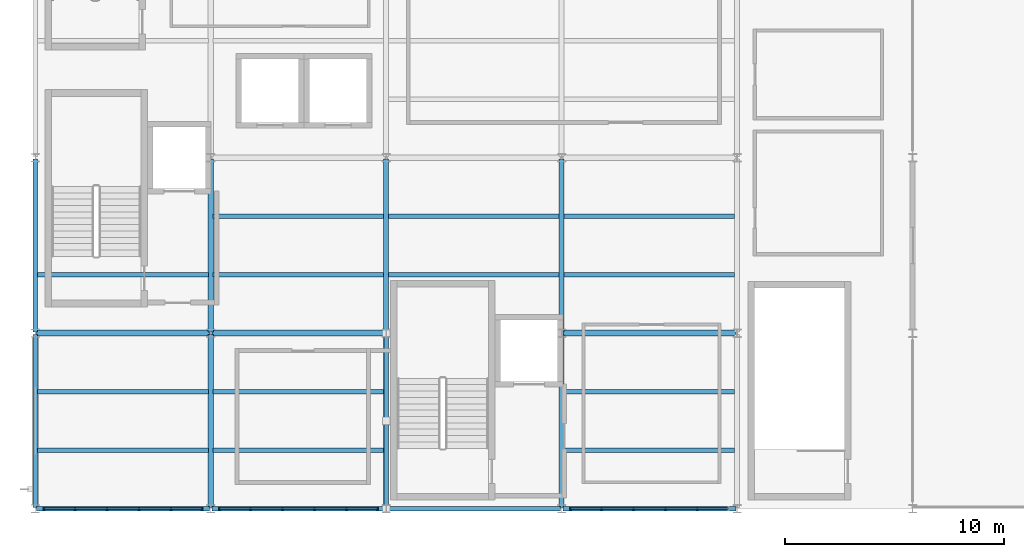
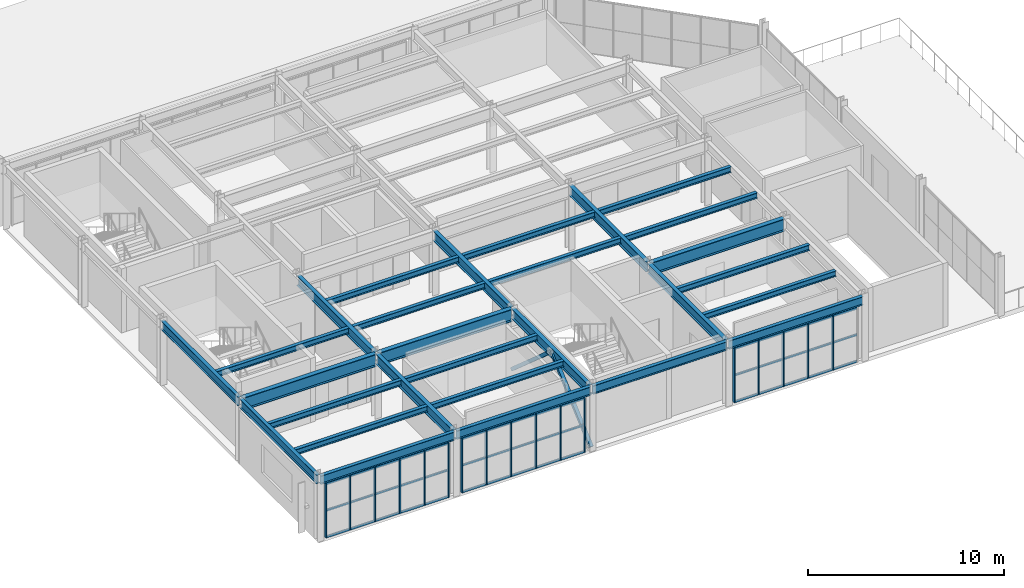
# One storey, part 2 of 27: 28 beams, 28 members, 3 elements without a shape of their own.
"""IFC4 building model written with IfcOpenShell, lengths in metres."""

from ifc_helpers import new_model, si_unit, direction, frame, origin, origin_2d, place, context, subcontext, project, spatial, rectangle, hollow_rectangle, i_section, extrude, material, material_profile, profile_set, type_object, element, aggregate, save


model = new_model("IFC4")

# Units and contexts
model_context = context("Model", 3, precision=1e-05, world=origin(), true_north=direction((0.0, 1.0)))
body_context = subcontext(model_context, "Body", "Model", "MODEL_VIEW")
ifc_project = project(units=[si_unit("LENGTHUNIT", "METRE"), si_unit("AREAUNIT", "SQUARE_METRE"), si_unit("VOLUMEUNIT", "CUBIC_METRE"), si_unit("PLANEANGLEUNIT", "RADIAN"), si_unit("MASSUNIT", "GRAM", prefix="KILO")], contexts=[model_context])

# Site, building, storey
site_placement = place(None, origin())
site = spatial("IfcSite", under=ifc_project, at=site_placement, CompositionType="ELEMENT")
building_placement = place(site_placement, origin())
building = spatial("IfcBuilding", under=site, at=building_placement, Name="Drelvath Fold Interchange", CompositionType="ELEMENT")
storey_placement = place(building_placement, frame((0.0, 0.0, 19.800048828125)))
storey = spatial("IfcBuildingStorey", under=building, at=storey_placement, Name="L04", CompositionType="ELEMENT", Elevation=19.800048828125)

# Beams
ifc_material_1 = material(Name="Steel ASTM A992 Grade 50", Category="steel")
ifc_material_profile_1 = material_profile(ifc_material_1, i_section(OverallWidth=0.205078125, OverallDepth=0.35400390625, WebThickness=0.009521484375, FlangeThickness=0.016845703125, at=origin_2d()), Name="W14X53")
ifc_profile_set_1 = profile_set([ifc_material_profile_1], Name="Steel ASTM A992 Grade 50")
beam_type_1 = type_object("IfcBeamType", Name="BM-W14X53", PredefinedType="JOIST", material=ifc_profile_set_1)
for number, where, z_axis, x_axis, name in (
    (1, (4.10302734375, 5.6669921875, 3.807861328125), (1.0, 0.0, 0.0), (0.0, 1.0, 0.0), "L04 Secondary floor joist BM-W14X53"),
    (2, (4.10302734375, 8.3330078125, 3.807861328125), (1.0, 0.0, 0.0), (0.0, 1.0, 0.0), "L04 Secondary floor joist BM-W14X53"),
    (3, (4.10302734375, 13.6669921875, 3.807861328125), (1.0, 0.0, 0.0), (0.0, 1.0, 0.0), "L04 Secondary floor joist BM-W14X53"),
):
    element("IfcBeam", number, at=place(storey_placement, frame(where, z_axis=z_axis, x_axis=x_axis)), inside=storey, type_object=beam_type_1, Name=name, PredefinedType="JOIST", context=body_context, shape_type="SweptSolid", body=[
        extrude(i_section(OverallWidth=0.205078125, OverallDepth=0.35400390625, WebThickness=0.009521484375, FlangeThickness=0.016845703125, at=origin_2d()), origin(), (0.0, 0.0, 1.0), 7.783935546875),
    ])
for number, where, z_axis, x_axis, name in (
    (4, (12.113037109375, 5.6669921875, 3.807861328125), (1.0, 0.0, 0.0), (0.0, 1.0, 0.0), "L04 Secondary floor joist BM-W14X53"),
    (5, (12.113037109375, 8.3330078125, 3.807861328125), (1.0, 0.0, 0.0), (0.0, 1.0, 0.0), "L04 Secondary floor joist BM-W14X53"),
    (6, (12.113037109375, 13.6669921875, 3.807861328125), (1.0, 0.0, 0.0), (0.0, 1.0, 0.0), "L04 Secondary floor joist BM-W14X53"),
    (7, (12.113037109375, 16.3330078125, 3.807861328125), (1.0, 0.0, 0.0), (0.0, 1.0, 0.0), "L04 Secondary floor joist BM-W14X53"),
    (8, (20.113037109375, 13.6669921875, 3.807861328125), (1.0, 0.0, 0.0), (0.0, 1.0, 0.0), "L04 Secondary floor joist BM-W14X53"),
    (9, (20.113037109375, 16.3330078125, 3.807861328125), (1.0, 0.0, 0.0), (0.0, 1.0, 0.0), "L04 Secondary floor joist BM-W14X53"),
    (10, (28.113037109375, 5.6669921875, 3.807861328125), (1.0, 0.0, 0.0), (0.0, 1.0, 0.0), "L04 Secondary floor joist BM-W14X53"),
    (11, (28.113037109375, 8.3330078125, 3.807861328125), (1.0, 0.0, 0.0), (0.0, 1.0, 0.0), "L04 Secondary floor joist BM-W14X53"),
    (12, (28.113037109375, 13.6669921875, 3.807861328125), (1.0, 0.0, 0.0), (0.0, 1.0, 0.0), "L04 Secondary floor joist BM-W14X53"),
    (13, (28.113037109375, 16.3330078125, 3.807861328125), (1.0, 0.0, 0.0), (0.0, 1.0, 0.0), "L04 Secondary floor joist BM-W14X53"),
):
    element("IfcBeam", number, at=place(storey_placement, frame(where, z_axis=z_axis, x_axis=x_axis)), inside=storey, type_object=beam_type_1, Name=name, PredefinedType="JOIST", context=body_context, shape_type="SweptSolid", body=[
        extrude(i_section(OverallWidth=0.205078125, OverallDepth=0.35400390625, WebThickness=0.009521484375, FlangeThickness=0.016845703125, at=origin_2d()), origin(), (0.0, 0.0, 1.0), 7.77392578125),
    ])
ifc_material_profile_2 = material_profile(ifc_material_1, i_section(OverallWidth=0.2099609375, OverallDepth=0.537109375, WebThickness=0.010986328125, FlangeThickness=0.017333984375, at=origin_2d()), Name="W21X68")
ifc_profile_set_2 = profile_set([ifc_material_profile_2], Name="Steel ASTM A992 Grade 50")
beam_type_2 = type_object("IfcBeamType", Name="BM-W21X68", PredefinedType="SPANDREL", material=ifc_profile_set_2)
for number, where, z_axis, x_axis, name in (
    (14, (4.06005859375, 3.0, 3.717041015625), (1.0, 0.0, 0.0), (0.0, 1.0, 0.0), "L04 Primary X girder BM-W21X68"),
    (15, (12.06005859375, 3.0, 3.717041015625), (1.0, 0.0, 0.0), (0.0, 1.0, 0.0), "L04 Primary X girder BM-W21X68"),
    (16, (20.06005859375, 3.0, 3.717041015625), (1.0, 0.0, 0.0), (0.0, 1.0, 0.0), "L04 Primary X girder BM-W21X68"),
    (17, (28.06005859375, 3.0, 3.717041015625), (1.0, 0.0, 0.0), (0.0, 1.0, 0.0), "L04 Primary X girder BM-W21X68"),
    (18, (4.0, 3.06005859375, 3.717041015625), (0.0, 1.0, 0.0), (-1.0, 0.0, 0.0), "L04 Primary Y girder BM-W21X68"),
    (19, (4.0, 11.06005859375, 3.717041015625), (0.0, 1.0, 0.0), (-1.0, 0.0, 0.0), "L04 Primary Y girder BM-W21X68"),
):
    element("IfcBeam", number, at=place(storey_placement, frame(where, z_axis=z_axis, x_axis=x_axis)), inside=storey, type_object=beam_type_2, Name=name, PredefinedType="SPANDREL", context=body_context, shape_type="SweptSolid", body=[
        extrude(i_section(OverallWidth=0.2099609375, OverallDepth=0.537109375, WebThickness=0.010986328125, FlangeThickness=0.017333984375, at=origin_2d()), origin(), (0.0, 0.0, 1.0), 7.8798828125),
    ])
ifc_material_profile_3 = material_profile(ifc_material_1, i_section(OverallWidth=0.22998046875, OverallDepth=0.616943359375, WebThickness=0.01318359375, FlangeThickness=0.022216796875, at=origin_2d()), Name="W24X94")
ifc_profile_set_3 = profile_set([ifc_material_profile_3], Name="Steel ASTM A992 Grade 50")
beam_type_3 = type_object("IfcBeamType", Name="BM-W24X94", PredefinedType="BEAM", material=ifc_profile_set_3)
for number, where, z_axis, x_axis, name in (
    (20, (12.0, 3.06005859375, 3.677001953125), (0.0, 1.0, 0.0), (-1.0, 0.0, 0.0), "L04 Primary Y girder BM-W24X94"),
    (21, (12.0, 11.06005859375, 3.677001953125), (0.0, 1.0, 0.0), (-1.0, 0.0, 0.0), "L04 Primary Y girder BM-W24X94"),
    (22, (20.0, 3.06005859375, 3.677001953125), (0.0, 1.0, 0.0), (-1.0, 0.0, 0.0), "L04 Primary Y girder BM-W24X94"),
    (23, (20.0, 11.06005859375, 3.677001953125), (0.0, 1.0, 0.0), (-1.0, 0.0, 0.0), "L04 Primary Y girder BM-W24X94"),
    (24, (28.0, 3.06005859375, 3.677001953125), (0.0, 1.0, 0.0), (-1.0, 0.0, 0.0), "L04 Primary Y girder BM-W24X94"),
    (25, (28.0, 11.06005859375, 3.677001953125), (0.0, 1.0, 0.0), (-1.0, 0.0, 0.0), "L04 Primary Y girder BM-W24X94"),
):
    element("IfcBeam", number, at=place(storey_placement, frame(where, z_axis=z_axis, x_axis=x_axis)), inside=storey, type_object=beam_type_3, Name=name, PredefinedType="BEAM", context=body_context, shape_type="SweptSolid", body=[
        extrude(i_section(OverallWidth=0.22998046875, OverallDepth=0.616943359375, WebThickness=0.01318359375, FlangeThickness=0.022216796875, at=origin_2d()), origin(), (0.0, 0.0, 1.0), 7.8798828125),
    ])
ifc_material_profile_4 = material_profile(ifc_material_1, i_section(OverallWidth=0.26611328125, OverallDepth=0.779052734375, WebThickness=0.0166015625, FlangeThickness=0.030029296875, at=origin_2d()), Name="W30X148")
ifc_profile_set_4 = profile_set([ifc_material_profile_4], Name="Steel ASTM A992 Grade 50")
beam_type_4 = type_object("IfcBeamType", Name="BM-W30X148", PredefinedType="BEAM", material=ifc_profile_set_4)
for number, where, z_axis, x_axis, name in (
    (26, (4.06005859375, 11.0, 3.594970703125), (1.0, 0.0, 0.0), (0.0, 1.0, 0.0), "L04 Primary X girder BM-W30X148"),
    (27, (12.06005859375, 11.0, 3.594970703125), (1.0, 0.0, 0.0), (0.0, 1.0, 0.0), "L04 Primary X girder BM-W30X148"),
    (28, (28.06005859375, 11.0, 3.594970703125), (1.0, 0.0, 0.0), (0.0, 1.0, 0.0), "L04 Primary X girder BM-W30X148"),
):
    element("IfcBeam", number, at=place(storey_placement, frame(where, z_axis=z_axis, x_axis=x_axis)), inside=storey, type_object=beam_type_4, Name=name, PredefinedType="BEAM", context=body_context, shape_type="SweptSolid", body=[
        extrude(i_section(OverallWidth=0.26611328125, OverallDepth=0.779052734375, WebThickness=0.0166015625, FlangeThickness=0.030029296875, at=origin_2d()), origin(), (0.0, 0.0, 1.0), 7.8798828125),
    ])

# Members
ifc_material_2 = material(Name="Steel ASTM A500 Grade C", Category="steel")
ifc_material_profile_5 = material_profile(ifc_material_2, hollow_rectangle(XDim=0.202880859375, YDim=0.202880859375, WallThickness=0.0087890625, at=origin_2d()), Name="HSS8X8X3/8")
ifc_profile_set_5 = profile_set([ifc_material_profile_5], Name="Steel ASTM A500 Grade C")
member_type_1 = type_object("IfcMemberType", Name="BR-CBF203", PredefinedType="BRACE", material=ifc_profile_set_5)
for number, where, z_axis, x_axis, name in (
    (29, (20.0, 3.0, 0.159912109375), (0.0, 0.750984422012, 0.660319920868), (-1.0, 0.0, 0.0), "L04 Concentrically braced frame diagonal BR-CBF203"),
    (30, (20.0, 11.0, 0.159912109375), (0.0, -0.750984422012, 0.660319920868), (1.0, 0.0, 0.0), "L04 Concentrically braced frame diagonal BR-CBF203"),
):
    element("IfcMember", number, at=place(storey_placement, frame(where, z_axis=z_axis, x_axis=x_axis)), inside=storey, type_object=member_type_1, Name=name, PredefinedType="BRACE", context=body_context, shape_type="SweptSolid", body=[
        extrude(hollow_rectangle(XDim=0.202880859375, YDim=0.202880859375, WallThickness=0.0087890625, at=origin_2d()), origin(), (0.0, 0.0, 1.0), 5.326416015625),
    ])

# Curtain wall, members
ifc_material_3 = material(Name="Anodized Aluminium 6063-T6", Category="aluminium")
curtain_wall_type = type_object("IfcCurtainWallType", Name="CW-OPS-UPP", PredefinedType="USERDEFINED", material=ifc_material_3)
curtain_wall_1_placement = place(storey_placement, origin())
curtain_wall_1 = element("IfcCurtainWall", 31, at=curtain_wall_1_placement, inside=storey, type_object=curtain_wall_type, Name="Curtain wall CW-V5-L04-S4", ObjectType="UNITISED CURTAIN WALL", PredefinedType="USERDEFINED")
ifc_material_profile_6 = material_profile(ifc_material_3, rectangle(XDim=0.06005859375, YDim=0.175048828125, at=origin_2d()), Name="AL-M 60x175")
ifc_profile_set_6 = profile_set([ifc_material_profile_6], Name="Anodized Aluminium 6063-T6")
member_type_2 = type_object("IfcMemberType", Name="ML-175", PredefinedType="MULLION", material=ifc_profile_set_6)
member_1_placement = place(storey_placement, frame((4.39990234375, 3.0, 0.0), z_axis=(0.0, 0.0, 1.0), x_axis=(1.0, 0.0, 0.0)))
member_1 = element("IfcMember", 32, at=member_1_placement, type_object=member_type_2, Name="CW-V5-L04-S4 mullion 0", PredefinedType="MULLION", context=body_context, shape_type="SweptSolid", body=[
    extrude(rectangle(XDim=0.06005859375, YDim=0.175048828125, at=origin_2d()), origin(), (0.0, 0.0, 1.0), 3.349853515625),
])
member_2_placement = place(storey_placement, frame((5.81591796875, 3.0, 0.0), z_axis=(0.0, 0.0, 1.0), x_axis=(1.0, 0.0, 0.0)))
member_2 = element("IfcMember", 33, at=member_2_placement, type_object=member_type_2, Name="CW-V5-L04-S4 mullion 1", PredefinedType="MULLION", context=body_context, shape_type="SweptSolid", body=[
    extrude(rectangle(XDim=0.06005859375, YDim=0.175048828125, at=origin_2d()), origin(), (0.0, 0.0, 1.0), 3.349853515625),
])
member_3_placement = place(storey_placement, frame((7.27197265625, 3.0, 0.0), z_axis=(0.0, 0.0, 1.0), x_axis=(1.0, 0.0, 0.0)))
member_3 = element("IfcMember", 34, at=member_3_placement, type_object=member_type_2, Name="CW-V5-L04-S4 mullion 2", PredefinedType="MULLION", context=body_context, shape_type="SweptSolid", body=[
    extrude(rectangle(XDim=0.06005859375, YDim=0.175048828125, at=origin_2d()), origin(), (0.0, 0.0, 1.0), 3.349853515625),
])
member_4_placement = place(storey_placement, frame((8.72802734375, 3.0, 0.0), z_axis=(0.0, 0.0, 1.0), x_axis=(1.0, 0.0, 0.0)))
member_4 = element("IfcMember", 35, at=member_4_placement, type_object=member_type_2, Name="CW-V5-L04-S4 mullion 3", PredefinedType="MULLION", context=body_context, shape_type="SweptSolid", body=[
    extrude(rectangle(XDim=0.06005859375, YDim=0.175048828125, at=origin_2d()), origin(), (0.0, 0.0, 1.0), 3.349853515625),
])
member_5_placement = place(storey_placement, frame((10.18408203125, 3.0, 0.0), z_axis=(0.0, 0.0, 1.0), x_axis=(1.0, 0.0, 0.0)))
member_5 = element("IfcMember", 36, at=member_5_placement, type_object=member_type_2, Name="CW-V5-L04-S4 mullion 4", PredefinedType="MULLION", context=body_context, shape_type="SweptSolid", body=[
    extrude(rectangle(XDim=0.06005859375, YDim=0.175048828125, at=origin_2d()), origin(), (0.0, 0.0, 1.0), 3.349853515625),
])
member_6_placement = place(storey_placement, frame((11.60009765625, 3.0, 0.0), z_axis=(0.0, 0.0, 1.0), x_axis=(1.0, 0.0, 0.0)))
member_6 = element("IfcMember", 37, at=member_6_placement, type_object=member_type_2, Name="CW-V5-L04-S4 mullion 5", PredefinedType="MULLION", context=body_context, shape_type="SweptSolid", body=[
    extrude(rectangle(XDim=0.06005859375, YDim=0.175048828125, at=origin_2d()), origin(), (0.0, 0.0, 1.0), 3.349853515625),
])

curtain_wall_2_placement = place(storey_placement, origin())
curtain_wall_2 = element("IfcCurtainWall", 38, at=curtain_wall_2_placement, inside=storey, type_object=curtain_wall_type, Name="Curtain wall CW-V5-L04-S12", ObjectType="UNITISED CURTAIN WALL", PredefinedType="USERDEFINED")
member_7_placement = place(storey_placement, frame((12.39990234375, 3.0, 0.0), z_axis=(0.0, 0.0, 1.0), x_axis=(1.0, 0.0, 0.0)))
member_7 = element("IfcMember", 39, at=member_7_placement, type_object=member_type_2, Name="CW-V5-L04-S12 mullion 0", PredefinedType="MULLION", context=body_context, shape_type="SweptSolid", body=[
    extrude(rectangle(XDim=0.06005859375, YDim=0.175048828125, at=origin_2d()), origin(), (0.0, 0.0, 1.0), 3.349853515625),
])
member_8_placement = place(storey_placement, frame((13.81591796875, 3.0, 0.0), z_axis=(0.0, 0.0, 1.0), x_axis=(1.0, 0.0, 0.0)))
member_8 = element("IfcMember", 40, at=member_8_placement, type_object=member_type_2, Name="CW-V5-L04-S12 mullion 1", PredefinedType="MULLION", context=body_context, shape_type="SweptSolid", body=[
    extrude(rectangle(XDim=0.06005859375, YDim=0.175048828125, at=origin_2d()), origin(), (0.0, 0.0, 1.0), 3.349853515625),
])
member_9_placement = place(storey_placement, frame((15.27197265625, 3.0, 0.0), z_axis=(0.0, 0.0, 1.0), x_axis=(1.0, 0.0, 0.0)))
member_9 = element("IfcMember", 41, at=member_9_placement, type_object=member_type_2, Name="CW-V5-L04-S12 mullion 2", PredefinedType="MULLION", context=body_context, shape_type="SweptSolid", body=[
    extrude(rectangle(XDim=0.06005859375, YDim=0.175048828125, at=origin_2d()), origin(), (0.0, 0.0, 1.0), 3.349853515625),
])
member_10_placement = place(storey_placement, frame((16.72802734375, 3.0, 0.0), z_axis=(0.0, 0.0, 1.0), x_axis=(1.0, 0.0, 0.0)))
member_10 = element("IfcMember", 42, at=member_10_placement, type_object=member_type_2, Name="CW-V5-L04-S12 mullion 3", PredefinedType="MULLION", context=body_context, shape_type="SweptSolid", body=[
    extrude(rectangle(XDim=0.06005859375, YDim=0.175048828125, at=origin_2d()), origin(), (0.0, 0.0, 1.0), 3.349853515625),
])
member_11_placement = place(storey_placement, frame((18.18408203125, 3.0, 0.0), z_axis=(0.0, 0.0, 1.0), x_axis=(1.0, 0.0, 0.0)))
member_11 = element("IfcMember", 43, at=member_11_placement, type_object=member_type_2, Name="CW-V5-L04-S12 mullion 4", PredefinedType="MULLION", context=body_context, shape_type="SweptSolid", body=[
    extrude(rectangle(XDim=0.06005859375, YDim=0.175048828125, at=origin_2d()), origin(), (0.0, 0.0, 1.0), 3.349853515625),
])
member_12_placement = place(storey_placement, frame((19.60009765625, 3.0, 0.0), z_axis=(0.0, 0.0, 1.0), x_axis=(1.0, 0.0, 0.0)))
member_12 = element("IfcMember", 44, at=member_12_placement, type_object=member_type_2, Name="CW-V5-L04-S12 mullion 5", PredefinedType="MULLION", context=body_context, shape_type="SweptSolid", body=[
    extrude(rectangle(XDim=0.06005859375, YDim=0.175048828125, at=origin_2d()), origin(), (0.0, 0.0, 1.0), 3.349853515625),
])

curtain_wall_3_placement = place(storey_placement, origin())
curtain_wall_3 = element("IfcCurtainWall", 45, at=curtain_wall_3_placement, inside=storey, type_object=curtain_wall_type, Name="Curtain wall CW-V5-L04-S28", ObjectType="UNITISED CURTAIN WALL", PredefinedType="USERDEFINED")
member_13_placement = place(storey_placement, frame((28.39990234375, 3.0, 0.0), z_axis=(0.0, 0.0, 1.0), x_axis=(1.0, 0.0, 0.0)))
member_13 = element("IfcMember", 46, at=member_13_placement, type_object=member_type_2, Name="CW-V5-L04-S28 mullion 0", PredefinedType="MULLION", context=body_context, shape_type="SweptSolid", body=[
    extrude(rectangle(XDim=0.06005859375, YDim=0.175048828125, at=origin_2d()), origin(), (0.0, 0.0, 1.0), 3.349853515625),
])
member_14_placement = place(storey_placement, frame((29.81591796875, 3.0, 0.0), z_axis=(0.0, 0.0, 1.0), x_axis=(1.0, 0.0, 0.0)))
member_14 = element("IfcMember", 47, at=member_14_placement, type_object=member_type_2, Name="CW-V5-L04-S28 mullion 1", PredefinedType="MULLION", context=body_context, shape_type="SweptSolid", body=[
    extrude(rectangle(XDim=0.06005859375, YDim=0.175048828125, at=origin_2d()), origin(), (0.0, 0.0, 1.0), 3.349853515625),
])
member_15_placement = place(storey_placement, frame((31.27197265625, 3.0, 0.0), z_axis=(0.0, 0.0, 1.0), x_axis=(1.0, 0.0, 0.0)))
member_15 = element("IfcMember", 48, at=member_15_placement, type_object=member_type_2, Name="CW-V5-L04-S28 mullion 2", PredefinedType="MULLION", context=body_context, shape_type="SweptSolid", body=[
    extrude(rectangle(XDim=0.06005859375, YDim=0.175048828125, at=origin_2d()), origin(), (0.0, 0.0, 1.0), 3.349853515625),
])
member_16_placement = place(storey_placement, frame((32.72802734375, 3.0, 0.0), z_axis=(0.0, 0.0, 1.0), x_axis=(1.0, 0.0, 0.0)))
member_16 = element("IfcMember", 49, at=member_16_placement, type_object=member_type_2, Name="CW-V5-L04-S28 mullion 3", PredefinedType="MULLION", context=body_context, shape_type="SweptSolid", body=[
    extrude(rectangle(XDim=0.06005859375, YDim=0.175048828125, at=origin_2d()), origin(), (0.0, 0.0, 1.0), 3.349853515625),
])
member_17_placement = place(storey_placement, frame((34.18408203125, 3.0, 0.0), z_axis=(0.0, 0.0, 1.0), x_axis=(1.0, 0.0, 0.0)))
member_17 = element("IfcMember", 50, at=member_17_placement, type_object=member_type_2, Name="CW-V5-L04-S28 mullion 4", PredefinedType="MULLION", context=body_context, shape_type="SweptSolid", body=[
    extrude(rectangle(XDim=0.06005859375, YDim=0.175048828125, at=origin_2d()), origin(), (0.0, 0.0, 1.0), 3.349853515625),
])

# Member
ifc_material_profile_7 = material_profile(ifc_material_3, rectangle(XDim=0.06005859375, YDim=0.139892578125, at=origin_2d()), Name="AL-T 60x140")
ifc_profile_set_7 = profile_set([ifc_material_profile_7], Name="Anodized Aluminium 6063-T6")
member_type_3 = type_object("IfcMemberType", Name="TR-140", PredefinedType="USERDEFINED", material=ifc_profile_set_7)
member_18_placement = place(storey_placement, frame((4.39990234375, 3.0, 0.030029296875), z_axis=(1.0, 0.0, 0.0), x_axis=(0.0, 1.0, 0.0)))
member_18 = element("IfcMember", 51, at=member_18_placement, type_object=member_type_3, Name="CW-V5-L04-S4 transom 0", ObjectType="TRANSOM", PredefinedType="USERDEFINED", context=body_context, shape_type="SweptSolid", body=[
    extrude(rectangle(XDim=0.06005859375, YDim=0.139892578125, at=origin_2d()), origin(), (0.0, 0.0, 1.0), 7.2001953125),
])

member_19_placement = place(storey_placement, frame((4.39990234375, 3.0, 1.675048828125), z_axis=(1.0, 0.0, 0.0), x_axis=(0.0, 1.0, 0.0)))
member_19 = element("IfcMember", 52, at=member_19_placement, type_object=member_type_3, Name="CW-V5-L04-S4 transom 1", ObjectType="TRANSOM", PredefinedType="USERDEFINED", context=body_context, shape_type="SweptSolid", body=[
    extrude(rectangle(XDim=0.06005859375, YDim=0.139892578125, at=origin_2d()), origin(), (0.0, 0.0, 1.0), 7.2001953125),
])

member_20_placement = place(storey_placement, frame((4.39990234375, 3.0, 3.320068359375), z_axis=(1.0, 0.0, 0.0), x_axis=(0.0, 1.0, 0.0)))
member_20 = element("IfcMember", 53, at=member_20_placement, type_object=member_type_3, Name="CW-V5-L04-S4 transom 2", ObjectType="TRANSOM", PredefinedType="USERDEFINED", context=body_context, shape_type="SweptSolid", body=[
    extrude(rectangle(XDim=0.06005859375, YDim=0.139892578125, at=origin_2d()), origin(), (0.0, 0.0, 1.0), 7.2001953125),
])

aggregate(curtain_wall_1, [member_1, member_2, member_3, member_4, member_5, member_6, member_18, member_19, member_20])

member_21_placement = place(storey_placement, frame((12.39990234375, 3.0, 0.030029296875), z_axis=(1.0, 0.0, 0.0), x_axis=(0.0, 1.0, 0.0)))
member_21 = element("IfcMember", 54, at=member_21_placement, type_object=member_type_3, Name="CW-V5-L04-S12 transom 0", ObjectType="TRANSOM", PredefinedType="USERDEFINED", context=body_context, shape_type="SweptSolid", body=[
    extrude(rectangle(XDim=0.06005859375, YDim=0.139892578125, at=origin_2d()), origin(), (0.0, 0.0, 1.0), 7.2001953125),
])

member_22_placement = place(storey_placement, frame((12.39990234375, 3.0, 1.675048828125), z_axis=(1.0, 0.0, 0.0), x_axis=(0.0, 1.0, 0.0)))
member_22 = element("IfcMember", 55, at=member_22_placement, type_object=member_type_3, Name="CW-V5-L04-S12 transom 1", ObjectType="TRANSOM", PredefinedType="USERDEFINED", context=body_context, shape_type="SweptSolid", body=[
    extrude(rectangle(XDim=0.06005859375, YDim=0.139892578125, at=origin_2d()), origin(), (0.0, 0.0, 1.0), 7.2001953125),
])

member_23_placement = place(storey_placement, frame((12.39990234375, 3.0, 3.320068359375), z_axis=(1.0, 0.0, 0.0), x_axis=(0.0, 1.0, 0.0)))
member_23 = element("IfcMember", 56, at=member_23_placement, type_object=member_type_3, Name="CW-V5-L04-S12 transom 2", ObjectType="TRANSOM", PredefinedType="USERDEFINED", context=body_context, shape_type="SweptSolid", body=[
    extrude(rectangle(XDim=0.06005859375, YDim=0.139892578125, at=origin_2d()), origin(), (0.0, 0.0, 1.0), 7.2001953125),
])

aggregate(curtain_wall_2, [member_7, member_8, member_9, member_10, member_11, member_12, member_21, member_22, member_23])

member_24_placement = place(storey_placement, frame((28.39990234375, 3.0, 0.030029296875), z_axis=(1.0, 0.0, 0.0), x_axis=(0.0, 1.0, 0.0)))
member_24 = element("IfcMember", 57, at=member_24_placement, type_object=member_type_3, Name="CW-V5-L04-S28 transom 0", ObjectType="TRANSOM", PredefinedType="USERDEFINED", context=body_context, shape_type="SweptSolid", body=[
    extrude(rectangle(XDim=0.06005859375, YDim=0.139892578125, at=origin_2d()), origin(), (0.0, 0.0, 1.0), 7.2001953125),
])

member_25_placement = place(storey_placement, frame((28.39990234375, 3.0, 1.675048828125), z_axis=(1.0, 0.0, 0.0), x_axis=(0.0, 1.0, 0.0)))
member_25 = element("IfcMember", 58, at=member_25_placement, type_object=member_type_3, Name="CW-V5-L04-S28 transom 1", ObjectType="TRANSOM", PredefinedType="USERDEFINED", context=body_context, shape_type="SweptSolid", body=[
    extrude(rectangle(XDim=0.06005859375, YDim=0.139892578125, at=origin_2d()), origin(), (0.0, 0.0, 1.0), 7.2001953125),
])

member_26_placement = place(storey_placement, frame((28.39990234375, 3.0, 3.320068359375), z_axis=(1.0, 0.0, 0.0), x_axis=(0.0, 1.0, 0.0)))
member_26 = element("IfcMember", 59, at=member_26_placement, type_object=member_type_3, Name="CW-V5-L04-S28 transom 2", ObjectType="TRANSOM", PredefinedType="USERDEFINED", context=body_context, shape_type="SweptSolid", body=[
    extrude(rectangle(XDim=0.06005859375, YDim=0.139892578125, at=origin_2d()), origin(), (0.0, 0.0, 1.0), 7.2001953125),
])

aggregate(curtain_wall_3, [member_13, member_14, member_15, member_16, member_17, member_24, member_25, member_26])

save(model, "model.ifc")
